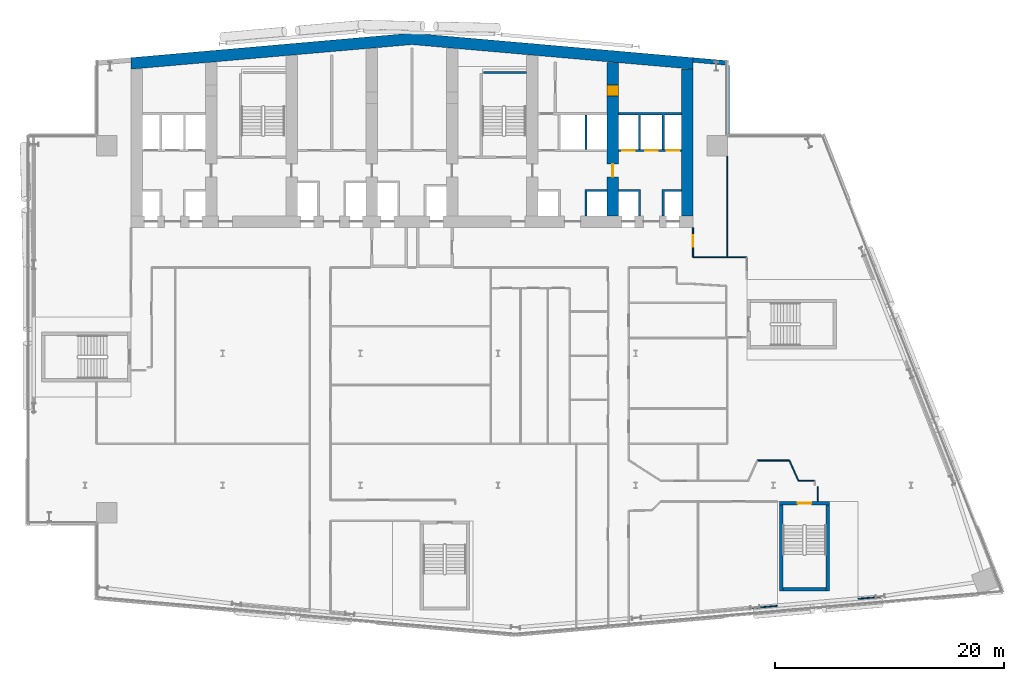
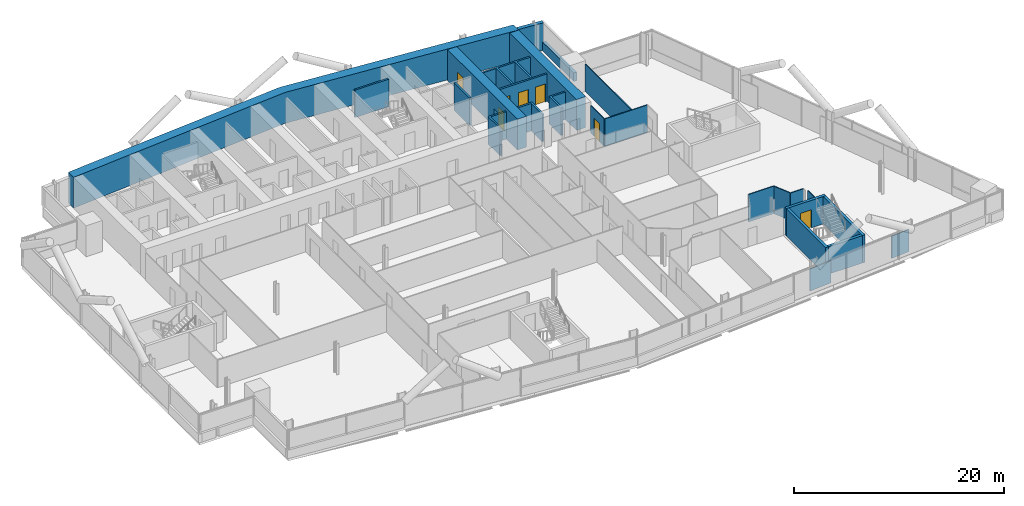
# One storey, part 18 of 26: 25 walls, 7 doors, 7 openings.
"""IFC4 building model written with IfcOpenShell, lengths in metres."""

from ifc_helpers import new_model, si_unit, direction, frame, frame_2d, origin, place, context, subcontext, project, spatial, polyline, rectangle, outline, extrude, material, layer, layer_set, type_object, element, fill, save


model = new_model("IFC4")

# Units and contexts
model_context = context("Model", 3, precision=1e-05, world=origin(), true_north=direction((0.0, 1.0)))
body_context = subcontext(model_context, "Body", "Model", "MODEL_VIEW")
ifc_project = project(units=[si_unit("LENGTHUNIT", "METRE"), si_unit("AREAUNIT", "SQUARE_METRE"), si_unit("VOLUMEUNIT", "CUBIC_METRE"), si_unit("PLANEANGLEUNIT", "RADIAN"), si_unit("MASSUNIT", "GRAM", prefix="KILO")], contexts=[model_context])

# Site, building, storey
site_placement = place(None, origin())
site = spatial("IfcSite", under=ifc_project, at=site_placement, CompositionType="ELEMENT")
building_placement = place(site_placement, origin())
building = spatial("IfcBuilding", under=site, at=building_placement, Name="Wharfspan Tower", CompositionType="ELEMENT")
storey_placement = place(building_placement, frame((0.0, 0.0, 114.699951)))
storey = spatial("IfcBuildingStorey", under=building, at=storey_placement, Name="L26", CompositionType="ELEMENT", Elevation=114.699951)

# Wall, opening, door
ifc_material_1 = material(Name="Gypsum board on steel studs", Category="steel")
ifc_layer_1 = layer(ifc_material_1, 0.100098)
ifc_layer_set_1 = layer_set([ifc_layer_1], Name="Gypsum board on steel studs")
wall_type_1 = type_object("IfcWallType", Name="Compartment wall 100 EI 60", PredefinedType="PARTITIONING", material=ifc_layer_set_1)
wall_1_placement = place(storey_placement, frame((65.0, 31.399902, 0.0), z_axis=(0.0, 0.0, 1.0), x_axis=(0.0, 1.0, 0.0)))
wall_1 = element("IfcWall", 1, at=wall_1_placement, inside=storey, type_object=wall_type_1, Name="Partition L26.w048", PredefinedType="PARTITIONING", context=body_context, shape_type="SweptSolid", body=[
    extrude(rectangle(XDim=2.580078, YDim=0.100098, at=frame_2d((1.290039, 0.0))), origin(), (0.0, 0.0, 1.0), 3.199951),
])
opening_1_placement = place(wall_1_placement, frame((0.899902, 0.0, 0.0)))
opening_1 = element("IfcOpeningElement", 2, at=opening_1_placement, cuts=wall_1, Name="Opening B3-27", PredefinedType="OPENING", context=body_context, shape_type="SweptSolid", body=[
    extrude(rectangle(XDim=1.0, YDim=2.100098, at=frame_2d((0.5, 1.050049))), frame((0.0, 0.060059, 0.0), z_axis=(0.0, -1.0, 0.0), x_axis=(1.0, 0.0, 0.0)), (0.0, 0.0, 1.0), 0.120117),
])
ifc_material_2 = material(Name="Fire-rated timber door leaf in steel frame", Category="steel")
door_type_1 = type_object("IfcDoorType", Name="Door 1000 FD30S Right", OperationType="SINGLE_SWING_RIGHT", PredefinedType="DOOR", material=ifc_material_2)
door_1_placement = place(opening_1_placement, origin())
door_1 = element("IfcDoor", 3, at=door_1_placement, inside=storey, type_object=door_type_1, Name="Door B3-27", OperationType="SINGLE_SWING_RIGHT", OverallHeight=2.100098, OverallWidth=1.0, PredefinedType="DOOR", context=body_context, shape_type="SweptSolid", body=[
    extrude(rectangle(XDim=1.0, YDim=2.100098, at=frame_2d((0.5, 1.050049))), frame((0.0, 0.024902, 0.0), z_axis=(0.0, -1.0, 0.0), x_axis=(1.0, 0.0, 0.0)), (0.0, 0.0, 1.0), 0.050049),
])
fill(opening_1, door_1)

# Walls
wall_2_placement = place(storey_placement, frame((65.0, 31.399902, 0.0), z_axis=(0.0, 0.0, 1.0), x_axis=(1.0, 0.0, 0.0)))
element("IfcWall", 4, at=wall_2_placement, inside=storey, type_object=wall_type_1, Name="Partition L26.w049", PredefinedType="PARTITIONING", context=body_context, shape_type="SweptSolid", body=[
    extrude(rectangle(XDim=4.689941, YDim=0.100098, at=frame_2d((2.344971, 0.0))), origin(), (0.0, 0.0, 1.0), 3.199951),
])
wall_3_placement = place(storey_placement, frame((68.0, 31.399902, 0.0), z_axis=(0.0, 0.0, 1.0), x_axis=(0.0, 1.0, 0.0)))
element("IfcWall", 5, at=wall_3_placement, inside=storey, type_object=wall_type_1, Name="Partition L26.w057", PredefinedType="PARTITIONING", context=body_context, shape_type="SweptSolid", body=[
    extrude(rectangle(XDim=8.790039, YDim=0.100098, at=frame_2d((4.39502, 0.0))), origin(), (0.0, 0.0, 1.0), 3.199951),
])
wall_4_placement = place(storey_placement, frame((70.600098, 13.675049, 0.0), z_axis=(0.0, 0.0, 1.0), x_axis=(1.0, 0.0, 0.0)))
element("IfcWall", 6, at=wall_4_placement, inside=storey, type_object=wall_type_1, Name="Partition L26.w061", PredefinedType="PARTITIONING", context=body_context, shape_type="SweptSolid", body=[
    extrude(rectangle(XDim=2.799805, YDim=0.100098, at=frame_2d((1.399902, 0.0))), origin(), (0.0, 0.0, 1.0), 3.199951),
])
wall_5_placement = place(storey_placement, frame((74.199951, 11.89502, 0.0), z_axis=(0.0, 0.0, 1.0), x_axis=(1.0, 0.0, 0.0)))
element("IfcWall", 7, at=wall_5_placement, inside=storey, type_object=wall_type_1, Name="Partition L26.w062", PredefinedType="PARTITIONING", context=body_context, shape_type="SweptSolid", body=[
    extrude(rectangle(XDim=1.415039, YDim=0.100098, at=frame_2d((0.70752, 0.0))), origin(), (0.0, 0.0, 1.0), 3.199951),
])
wall_6_placement = place(storey_placement, frame((74.199951, 11.89502, 0.0), z_axis=(0.0, 0.0, 1.0), x_axis=(-0.409954, 0.912107, 0.0)))
element("IfcWall", 8, at=wall_6_placement, inside=storey, type_object=wall_type_1, Name="Partition L26.w063", PredefinedType="PARTITIONING", context=body_context, shape_type="SweptSolid", body=[
    extrude(rectangle(XDim=1.95166, YDim=0.100098, at=frame_2d((0.97583, 0.0))), origin(), (0.0, 0.0, 1.0), 3.199951),
])
wall_7_placement = place(storey_placement, frame((75.86499, 10.114746, 0.0), z_axis=(0.0, 0.0, 1.0), x_axis=(0.0, 1.0, 0.0)))
element("IfcWall", 9, at=wall_7_placement, inside=storey, type_object=wall_type_1, Name="Partition L26.w065", PredefinedType="PARTITIONING", context=body_context, shape_type="SweptSolid", body=[
    extrude(rectangle(XDim=1.280273, YDim=0.100098, at=frame_2d((0.640137, 0.0))), origin(), (0.0, 0.0, 1.0), 3.199951),
])
ifc_material_3 = material(Name="Concrete C70/85", Category="concrete")
ifc_layer_2 = layer(ifc_material_3, 1.0)
ifc_layer_set_2 = layer_set([ifc_layer_2], Name="Concrete C70/85")
wall_type_2 = type_object("IfcWallType", Name="Core wall 1000 C70/85", PredefinedType="SHEAR", material=ifc_layer_set_2)
wall_8_placement = place(storey_placement, origin())
element("IfcWall", 10, at=wall_8_placement, inside=storey, type_object=wall_type_2, Name="Core rear wall L26", PredefinedType="SHEAR", context=body_context, shape_type="SweptSolid", body=[
    extrude(outline(polyline([(16.0, 47.783691), (40.5, 49.927002), (65.0, 47.783691), (65.0, 48.787354), (40.5, 50.930908), (16.0, 48.787354), (16.0, 47.783691)])), origin(), (0.0, 0.0, 1.0), 3.600098),
])

# Wall, openings, doors
wall_9_placement = place(storey_placement, frame((58.0, 35.0, 0.0), z_axis=(0.0, 0.0, 1.0), x_axis=(0.0, 1.0, 0.0)))
wall_9 = element("IfcWall", 11, at=wall_9_placement, inside=storey, type_object=wall_type_2, Name="Core cross wall X7 L26", PredefinedType="SHEAR", context=body_context, shape_type="SweptSolid", body=[
    extrude(rectangle(XDim=13.352295, YDim=1.0, at=frame_2d((6.67627, 0.0))), origin(), (0.0, 0.0, 1.0), 3.600098),
])
opening_2_placement = place(wall_9_placement, frame((10.425537, 0.0, 0.0)))
opening_2 = element("IfcOpeningElement", 12, at=opening_2_placement, cuts=wall_9, Name="Opening CD26.7X", PredefinedType="OPENING", context=body_context, shape_type="SweptSolid", body=[
    extrude(rectangle(XDim=1.0, YDim=2.100098, at=frame_2d((0.5, 1.050049))), frame((0.0, 0.51001, 0.0), z_axis=(0.0, -1.0, 0.0), x_axis=(1.0, 0.0, 0.0)), (0.0, 0.0, 1.0), 1.02002),
])
opening_3_placement = place(wall_9_placement, frame((3.399902, 0.0, 0.0)))
opening_3 = element("IfcOpeningElement", 13, at=opening_3_placement, cuts=wall_9, Name="Opening CC26.7", PredefinedType="OPENING", context=body_context, shape_type="SweptSolid", body=[
    extrude(rectangle(XDim=1.100098, YDim=2.100098, at=frame_2d((0.550049, 1.050049))), frame((0.0, 0.51001, 0.0), z_axis=(0.0, -1.0, 0.0), x_axis=(1.0, 0.0, 0.0)), (0.0, 0.0, 1.0), 1.02002),
])
ifc_material_4 = material(Name="Steel door leaf", Category="steel")
door_type_2 = type_object("IfcDoorType", Name="Core corridor door 1100x2100", OperationType="SINGLE_SWING_LEFT", PredefinedType="DOOR", material=ifc_material_4)
door_2_placement = place(opening_3_placement, origin())
door_2 = element("IfcDoor", 14, at=door_2_placement, inside=storey, type_object=door_type_2, Name="xd:L26:7", OperationType="SINGLE_SWING_LEFT", OverallHeight=2.100098, OverallWidth=1.100098, PredefinedType="DOOR", context=body_context, shape_type="SweptSolid", body=[
    extrude(rectangle(XDim=1.100098, YDim=2.100098, at=frame_2d((0.550049, 1.050049))), frame((0.0, 0.024902, 0.0), z_axis=(0.0, -1.0, 0.0), x_axis=(1.0, 0.0, 0.0)), (0.0, 0.0, 1.0), 0.050049),
])
fill(opening_3, door_2)
door_type_3 = type_object("IfcDoorType", Name="Core room door 1000x2100", OperationType="SINGLE_SWING_LEFT", PredefinedType="DOOR", material=ifc_material_4)
door_3_placement = place(opening_2_placement, origin())
door_3 = element("IfcDoor", 15, at=door_3_placement, inside=storey, type_object=door_type_3, Name="d:L26:7:sx", OperationType="SINGLE_SWING_LEFT", OverallHeight=2.100098, OverallWidth=1.0, PredefinedType="DOOR", context=body_context, shape_type="SweptSolid", body=[
    extrude(rectangle(XDim=1.0, YDim=2.100098, at=frame_2d((0.5, 1.050049))), frame((0.0, 0.499756, 0.0), z_axis=(0.0, -1.0, 0.0), x_axis=(1.0, 0.0, 0.0)), (0.0, 0.0, 1.0), 0.999512),
])
fill(opening_2, door_3)

# Walls
wall_10_placement = place(storey_placement, frame((64.5, 35.0, 0.0), z_axis=(0.0, 0.0, 1.0), x_axis=(0.0, 1.0, 0.0)))
element("IfcWall", 16, at=wall_10_placement, inside=storey, type_object=wall_type_2, Name="Core cross wall EW1 L26", PredefinedType="SHEAR", context=body_context, shape_type="SweptSolid", body=[
    extrude(rectangle(XDim=12.783691, YDim=1.0, at=frame_2d((6.391846, 0.0))), origin(), (0.0, 0.0, 1.0), 3.600098),
])
ifc_material_5 = material(Name="Concrete C30/37", Category="concrete")
ifc_layer_3 = layer(ifc_material_5, 0.199951)
ifc_layer_set_3 = layer_set([ifc_layer_3], Name="Concrete C30/37")
wall_type_3 = type_object("IfcWallType", Name="Lift shaft wall 200", PredefinedType="PARTITIONING", material=ifc_layer_set_3)
wall_11_placement = place(storey_placement, frame((0.0, 0.0, -0.000244)))
element("IfcWall", 17, at=wall_11_placement, inside=storey, type_object=wall_type_3, Name="sw:L26:FM6.1", PredefinedType="PARTITIONING", context=body_context, shape_type="SweptSolid", body=[
    extrude(outline(polyline([(55.56665, 37.300049), (55.766602, 37.300049), (57.5, 37.300049), (57.5, 37.100098), (55.766602, 37.100098), (55.766602, 35.0), (55.56665, 35.0), (55.56665, 37.300049)])), origin(), (0.0, 0.0, 1.0), 3.200195),
])
wall_12_placement = place(storey_placement, frame((0.0, 0.0, -0.000244)))
element("IfcWall", 18, at=wall_12_placement, inside=storey, type_object=wall_type_3, Name="sw:L26:RM6.1", PredefinedType="PARTITIONING", context=body_context, shape_type="SweptSolid", body=[
    extrude(outline(polyline([(55.56665, 40.800049), (55.56665, 43.800049), (55.766602, 43.800049), (55.766602, 40.800049), (55.56665, 40.800049)])), origin(), (0.0, 0.0, 1.0), 3.200195),
])

# Wall, openings, doors
wall_13_placement = place(storey_placement, frame((58.5, 40.699951, 0.0), z_axis=(0.0, 0.0, 1.0), x_axis=(1.0, 0.0, 0.0)))
wall_13 = element("IfcWall", 19, at=wall_13_placement, inside=storey, type_object=wall_type_3, Name="sw:L26:RF7", PredefinedType="PARTITIONING", context=body_context, shape_type="SweptSolid", body=[
    extrude(rectangle(XDim=5.5, YDim=0.199951, at=frame_2d((2.75, 0.0))), origin(), (0.0, 0.0, 1.0), 3.199951),
])
opening_4_placement = place(wall_13_placement, frame((0.31665, 0.0, 0.0)))
opening_4 = element("IfcOpeningElement", 20, at=opening_4_placement, cuts=wall_13, Name="Opening LD.LA8.L26", PredefinedType="OPENING", context=body_context, shape_type="SweptSolid", body=[
    extrude(rectangle(XDim=1.100098, YDim=2.100098, at=frame_2d((0.550049, 1.050049))), frame((0.0, 0.109863, 0.0), z_axis=(0.0, -1.0, 0.0), x_axis=(1.0, 0.0, 0.0)), (0.0, 0.0, 1.0), 0.219971),
])
opening_5_placement = place(wall_13_placement, frame((2.31665, 0.0, 0.0)))
opening_5 = element("IfcOpeningElement", 21, at=opening_5_placement, cuts=wall_13, Name="Opening LD.LA9.L26", PredefinedType="OPENING", context=body_context, shape_type="SweptSolid", body=[
    extrude(rectangle(XDim=1.100098, YDim=2.100098, at=frame_2d((0.550049, 1.050049))), frame((0.0, 0.109863, 0.0), z_axis=(0.0, -1.0, 0.0), x_axis=(1.0, 0.0, 0.0)), (0.0, 0.0, 1.0), 0.219971),
])
opening_6_placement = place(wall_13_placement, frame((4.199951, 0.0, 0.0)))
opening_6 = element("IfcOpeningElement", 22, at=opening_6_placement, cuts=wall_13, Name="Opening LD.LA10.L26", PredefinedType="OPENING", context=body_context, shape_type="SweptSolid", body=[
    extrude(rectangle(XDim=1.100098, YDim=2.100098, at=frame_2d((0.550049, 1.050049))), frame((0.0, 0.109863, 0.0), z_axis=(0.0, -1.0, 0.0), x_axis=(1.0, 0.0, 0.0)), (0.0, 0.0, 1.0), 0.219971),
])
ifc_material_6 = material(Name="Stainless steel", Category="steel")
door_type_4 = type_object("IfcDoorType", Name="Lift landing door 1100x2100", OperationType="DOUBLE_DOOR_SLIDING", PredefinedType="DOOR", material=ifc_material_6)
door_4_placement = place(opening_4_placement, origin())
door_4 = element("IfcDoor", 23, at=door_4_placement, inside=storey, type_object=door_type_4, Name="Landing door LA8 L26", OperationType="DOUBLE_DOOR_SLIDING", OverallHeight=2.100098, OverallWidth=1.100098, PredefinedType="DOOR", context=body_context, shape_type="SweptSolid", body=[
    extrude(rectangle(XDim=1.100098, YDim=2.100098, at=frame_2d((0.550049, 1.050049))), frame((0.0, 0.024902, 0.0), z_axis=(0.0, -1.0, 0.0), x_axis=(1.0, 0.0, 0.0)), (0.0, 0.0, 1.0), 0.050049),
])
fill(opening_4, door_4)
door_5_placement = place(opening_5_placement, origin())
door_5 = element("IfcDoor", 24, at=door_5_placement, inside=storey, type_object=door_type_4, Name="Landing door LA9 L26", OperationType="DOUBLE_DOOR_SLIDING", OverallHeight=2.100098, OverallWidth=1.100098, PredefinedType="DOOR", context=body_context, shape_type="SweptSolid", body=[
    extrude(rectangle(XDim=1.100098, YDim=2.100098, at=frame_2d((0.550049, 1.050049))), frame((0.0, 0.024902, 0.0), z_axis=(0.0, -1.0, 0.0), x_axis=(1.0, 0.0, 0.0)), (0.0, 0.0, 1.0), 0.050049),
])
fill(opening_5, door_5)
door_6_placement = place(opening_6_placement, origin())
door_6 = element("IfcDoor", 25, at=door_6_placement, inside=storey, type_object=door_type_4, Name="Landing door LA10 L26", OperationType="DOUBLE_DOOR_SLIDING", OverallHeight=2.100098, OverallWidth=1.100098, PredefinedType="DOOR", context=body_context, shape_type="SweptSolid", body=[
    extrude(rectangle(XDim=1.100098, YDim=2.100098, at=frame_2d((0.550049, 1.050049))), frame((0.0, 0.024902, 0.0), z_axis=(0.0, -1.0, 0.0), x_axis=(1.0, 0.0, 0.0)), (0.0, 0.0, 1.0), 0.050049),
])
fill(opening_6, door_6)

# Walls
wall_14_placement = place(storey_placement, frame((0.0, 0.0, -0.000244)))
element("IfcWall", 26, at=wall_14_placement, inside=storey, type_object=wall_type_3, Name="sw:L26:FM7.0", PredefinedType="PARTITIONING", context=body_context, shape_type="SweptSolid", body=[
    extrude(outline(polyline([(60.233398, 37.100098), (58.5, 37.100098), (58.5, 37.300049), (60.233398, 37.300049), (60.43335, 37.300049), (60.43335, 35.0), (60.233398, 35.0), (60.233398, 37.100098)])), origin(), (0.0, 0.0, 1.0), 3.200195),
])
wall_15_placement = place(storey_placement, frame((0.0, 0.0, -0.000244)))
element("IfcWall", 27, at=wall_15_placement, inside=storey, type_object=wall_type_3, Name="sw:L26:FM7.1", PredefinedType="PARTITIONING", context=body_context, shape_type="SweptSolid", body=[
    extrude(outline(polyline([(62.300049, 37.300049), (62.5, 37.300049), (64.0, 37.300049), (64.0, 37.100098), (62.5, 37.100098), (62.5, 35.0), (62.300049, 35.0), (62.300049, 37.300049)])), origin(), (0.0, 0.0, 1.0), 3.200195),
])
wall_16_placement = place(storey_placement, frame((0.0, 0.0, -0.000244)))
element("IfcWall", 28, at=wall_16_placement, inside=storey, type_object=wall_type_3, Name="sw:L26:RM7.0", PredefinedType="PARTITIONING", context=body_context, shape_type="SweptSolid", body=[
    extrude(outline(polyline([(60.43335, 40.800049), (60.233398, 40.800049), (60.233398, 43.800049), (58.5, 43.800049), (58.5, 44.0), (64.0, 44.0), (64.0, 43.800049), (62.5, 43.800049), (62.5, 40.800049), (62.300049, 40.800049), (62.300049, 43.800049), (60.43335, 43.800049), (60.43335, 40.800049)])), origin(), (0.0, 0.0, 1.0), 3.200195),
])
ifc_layer_4 = layer(ifc_material_1, 0.100098)
ifc_layer_set_4 = layer_set([ifc_layer_4], Name="Gypsum board on steel studs")
wall_type_4 = type_object("IfcWallType", Name="Partition 100", PredefinedType="PARTITIONING", material=ifc_layer_set_4)
wall_17_placement = place(storey_placement, frame((69.909912, 0.780029, 0.0), z_axis=(0.0, 0.0, 1.0), x_axis=(0.99619, 0.087259, 0.0)))
element("IfcWall", 29, at=wall_17_placement, inside=storey, type_object=wall_type_4, Name="Partition L26.w060", PredefinedType="PARTITIONING", context=body_context, shape_type="SweptSolid", body=[
    extrude(rectangle(XDim=2.445312, YDim=0.100098, at=frame_2d((1.222656, 0.0))), origin(), (0.0, 0.0, 1.0), 2.580078),
])
wall_18_placement = place(storey_placement, frame((79.385986, 1.606689, 0.0), z_axis=(0.0, 0.0, 1.0), x_axis=(0.996228, 0.08682, 0.0)))
element("IfcWall", 30, at=wall_18_placement, inside=storey, type_object=wall_type_4, Name="Partition L26.w066", PredefinedType="PARTITIONING", context=body_context, shape_type="SweptSolid", body=[
    extrude(rectangle(XDim=1.996582, YDim=0.100098, at=frame_2d((0.998291, 0.0))), origin(), (0.0, 0.0, 1.0), 2.580078),
])
ifc_material_7 = material(Name="Concrete C40/50", Category="concrete")
ifc_layer_5 = layer(ifc_material_7, 0.350098)
ifc_layer_set_5 = layer_set([ifc_layer_5], Name="Concrete C40/50")
wall_type_5 = type_object("IfcWallType", Name="SPANDREL EXPOSED CONCRETE 350", PredefinedType="SOLIDWALL", material=ifc_layer_set_5)
wall_19_placement = place(storey_placement, frame((68.004883, 42.179932, 0.0), z_axis=(0.0, 0.0, 1.0), x_axis=(0.0, 1.0, 0.0)))
element("IfcWall", 31, at=wall_19_placement, inside=storey, type_object=wall_type_5, Name="Spandrel upstand L26 NRE-V", PredefinedType="SOLIDWALL", context=body_context, shape_type="SweptSolid", body=[
    extrude(rectangle(XDim=5.946533, YDim=0.350098, at=frame_2d((2.973145, 0.0))), origin(), (0.0, 0.0, 1.0), 1.0),
])

# Wall, opening, door
ifc_layer_6 = layer(ifc_material_7, 0.300049)
ifc_layer_set_6 = layer_set([ifc_layer_6], Name="Concrete C40/50")
wall_type_6 = type_object("IfcWallType", Name="Stair core wall 300", PredefinedType="SHEAR", material=ifc_layer_set_6)
wall_20_placement = place(storey_placement, frame((72.541016, 9.94458, 0.0), z_axis=(0.0, 0.0, 1.0), x_axis=(1.0, 0.0, 0.0)))
wall_20 = element("IfcWall", 32, at=wall_20_placement, inside=storey, type_object=wall_type_6, Name="ST5 stair enclosure wall L26", PredefinedType="SHEAR", context=body_context, shape_type="SweptSolid", body=[
    extrude(rectangle(XDim=4.350098, YDim=0.300049, at=frame_2d((2.175049, 0.0))), origin(), (0.0, 0.0, 1.0), 3.199951),
])
opening_7_placement = place(wall_20_placement, frame((1.574951, 0.0, 0.0)))
opening_7 = element("IfcOpeningElement", 33, at=opening_7_placement, cuts=wall_20, Name="Opening SD5.L26", PredefinedType="OPENING", context=body_context, shape_type="SweptSolid", body=[
    extrude(rectangle(XDim=1.199951, YDim=2.100098, at=frame_2d((0.600098, 1.050049))), frame((0.0, 0.159912, 0.0), z_axis=(0.0, -1.0, 0.0), x_axis=(1.0, 0.0, 0.0)), (0.0, 0.0, 1.0), 0.320068),
])
door_type_5 = type_object("IfcDoorType", Name="Stair door 1200x2100", OperationType="SINGLE_SWING_LEFT", PredefinedType="DOOR", material=ifc_material_4)
door_7_placement = place(opening_7_placement, origin())
door_7 = element("IfcDoor", 34, at=door_7_placement, inside=storey, type_object=door_type_5, Name="sd:L26:ST5z2", OperationType="SINGLE_SWING_RIGHT", OverallHeight=2.100098, OverallWidth=1.199951, PredefinedType="DOOR", context=body_context, shape_type="SweptSolid", body=[
    extrude(rectangle(XDim=1.199951, YDim=2.100098, at=frame_2d((0.600098, 1.050049))), frame((0.0, 0.024902, 0.0), z_axis=(0.0, -1.0, 0.0), x_axis=(1.0, 0.0, 0.0)), (0.0, 0.0, 1.0), 0.050049),
])
fill(opening_7, door_7)

# Walls
for number, where, z_axis, x_axis, name in (
    (35, (72.690918, 2.294678, 0.0), (0.0, 0.0, 1.0), (0.0, 1.0, 0.0), "ST5 stair enclosure wall L26"),
    (36, (76.740967, 2.294678, 0.0), (0.0, 0.0, 1.0), (0.0, 1.0, 0.0), "ST5 stair enclosure wall L26"),
):
    element("IfcWall", number, at=place(storey_placement, frame(where, z_axis=z_axis, x_axis=x_axis)), inside=storey, type_object=wall_type_6, Name=name, PredefinedType="SHEAR", context=body_context, shape_type="SweptSolid", body=[
        extrude(rectangle(XDim=7.5, YDim=0.300049, at=frame_2d((3.75, 0.0))), origin(), (0.0, 0.0, 1.0), 3.199951),
    ])
wall_21_placement = place(storey_placement, frame((72.841064, 2.44458, 0.0), z_axis=(0.0, 0.0, 1.0), x_axis=(1.0, 0.0, 0.0)))
element("IfcWall", 37, at=wall_21_placement, inside=storey, type_object=wall_type_6, Name="ST5 stair enclosure wall L26", PredefinedType="SHEAR", context=body_context, shape_type="SweptSolid", body=[
    extrude(rectangle(XDim=3.75, YDim=0.300049, at=frame_2d((1.875, 0.0))), origin(), (0.0, 0.0, 1.0), 3.199951),
])
ifc_layer_7 = layer(ifc_material_7, 0.199951)
ifc_layer_set_7 = layer_set([ifc_layer_7], Name="Concrete C40/50")
wall_type_7 = type_object("IfcWallType", Name="Stair shaft wall 200", PredefinedType="SHEAR", material=ifc_layer_set_7)
wall_22_placement = place(storey_placement, frame((46.75, 47.5, 0.0), z_axis=(0.0, 0.0, 1.0), x_axis=(1.0, 0.0, 0.0)))
element("IfcWall", 38, at=wall_22_placement, inside=storey, type_object=wall_type_7, Name="ST2 stair enclosure wall L26", PredefinedType="SHEAR", context=body_context, shape_type="SweptSolid", body=[
    extrude(rectangle(XDim=3.75, YDim=0.199951, at=frame_2d((1.875, 0.0))), origin(), (0.0, 0.0, 1.0), 3.199951),
])
ifc_layer_8 = layer(ifc_material_7, 0.399902)
ifc_layer_set_8 = layer_set([ifc_layer_8], Name="Concrete C40/50")
wall_type_8 = type_object("IfcWallType", Name="WALL EXPOSED CONCRETE 400", PredefinedType="SOLIDWALL", material=ifc_layer_set_8)
wall_23_placement = place(storey_placement, frame((67.982666, 48.325684, 0.0), z_axis=(0.0, 0.0, 1.0), x_axis=(-0.996194, 0.087168, 0.0)))
element("IfcWall", 39, at=wall_23_placement, inside=storey, type_object=wall_type_8, Name="Rear wall N2", PredefinedType="SOLIDWALL", context=body_context, shape_type="SweptSolid", body=[
    extrude(rectangle(XDim=2.994141, YDim=0.399902, at=frame_2d((1.49707, 0.0))), origin(), (0.0, 0.0, 1.0), 3.199951),
])

save(model, "model.ifc")
